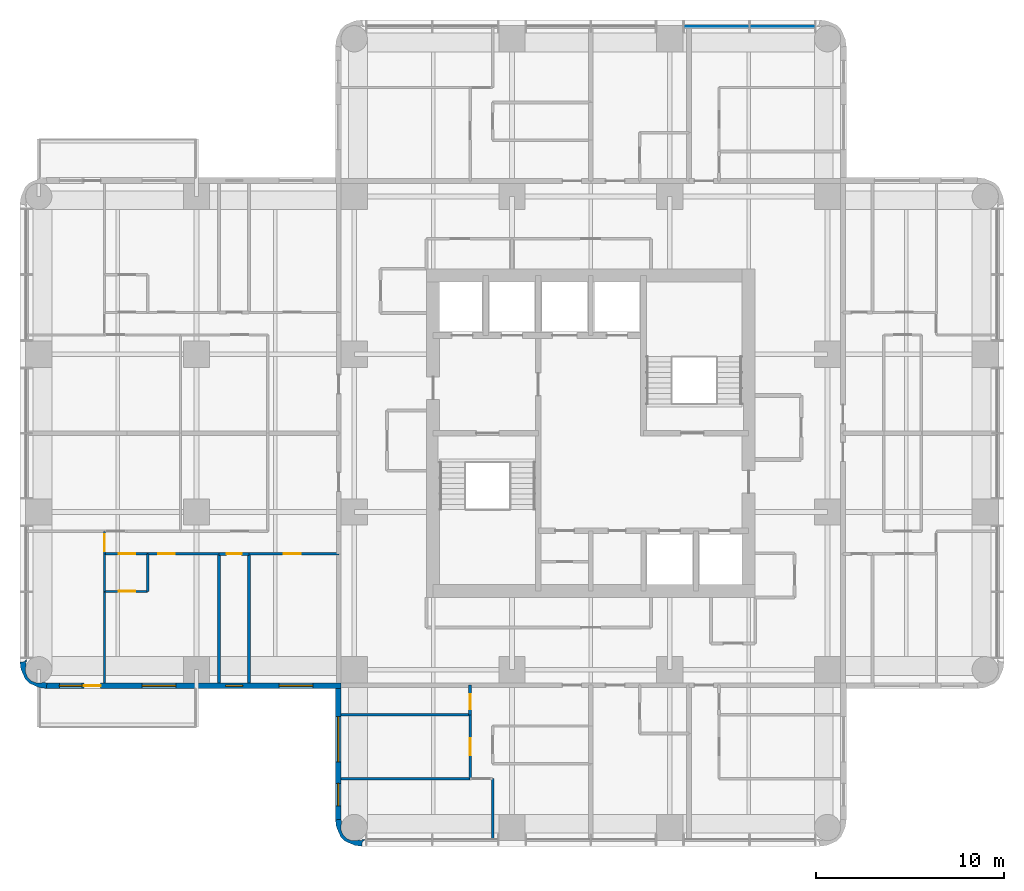
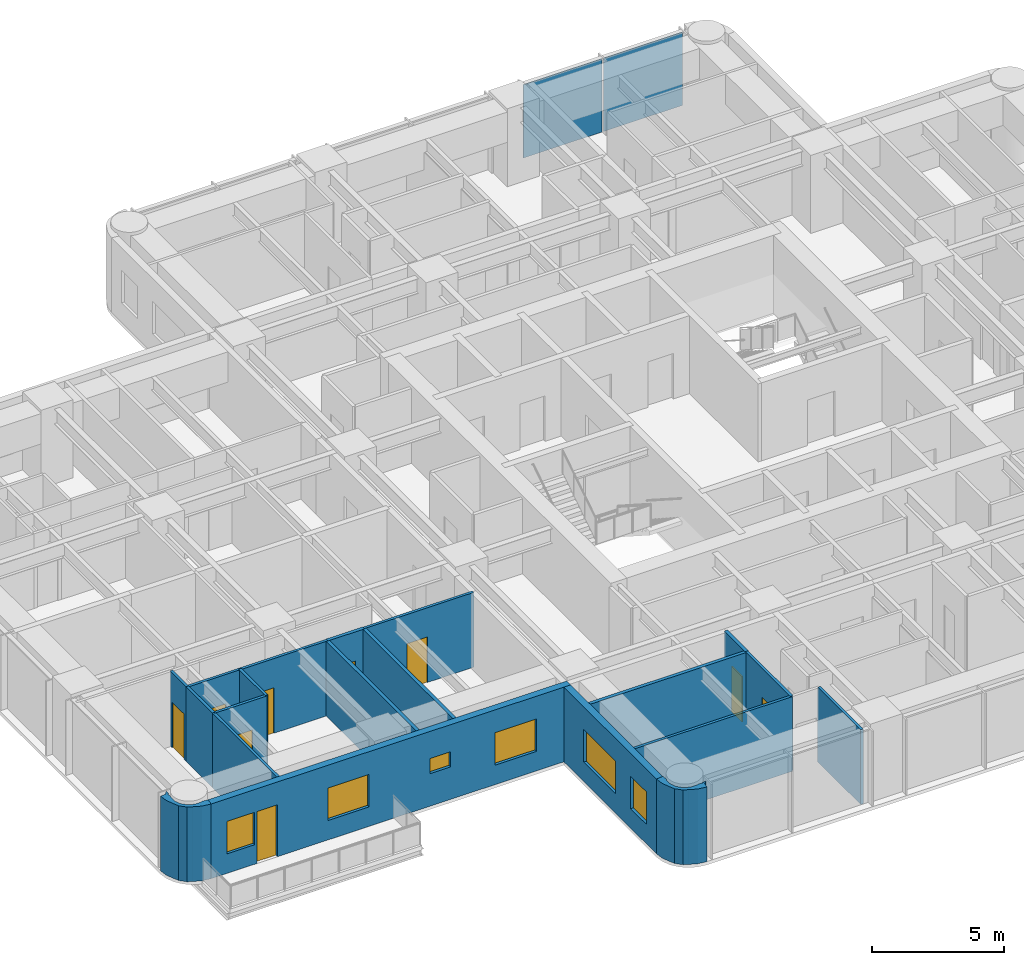
# One storey, part 4 of 11: 20 walls, 9 doors, 6 windows, 2 plates, 15 openings, 1 element without a shape of its own.
"""IFC4 building model written with IfcOpenShell, lengths in metres."""

from ifc_helpers import new_model, si_unit, direction, frame, frame_2d, origin, origin_2d, place, context, subcontext, project, spatial, polyline, rectangle, outline, extrude, material, layer, layer_set, type_object, element, fill, aggregate, save


model = new_model("IFC4")

# Units and contexts
model_context = context("Model", 3, precision=1e-05, world=origin(), true_north=direction((0.0, 1.0)))
body_context = subcontext(model_context, "Body", "Model", "MODEL_VIEW")
ifc_project = project(units=[si_unit("LENGTHUNIT", "METRE"), si_unit("AREAUNIT", "SQUARE_METRE"), si_unit("VOLUMEUNIT", "CUBIC_METRE"), si_unit("PLANEANGLEUNIT", "RADIAN"), si_unit("MASSUNIT", "GRAM", prefix="KILO")], contexts=[model_context])

# Site, building, storey
site_placement = place(None, origin())
site = spatial("IfcSite", under=ifc_project, at=site_placement, CompositionType="ELEMENT")
building_placement = place(site_placement, origin())
building = spatial("IfcBuilding", under=site, at=building_placement, Name="Torre Alcanfor", CompositionType="ELEMENT")
storey_placement = place(building_placement, frame((0.0, 0.0, 208.5)))
storey = spatial("IfcBuildingStorey", under=building, at=storey_placement, Name="L54", CompositionType="ELEMENT", Elevation=208.5)

# Curtain wall, plates
ifc_material_1 = material(Name="Aluminium and glass", Category="aluminium")
curtain_wall_type = type_object("IfcCurtainWallType", Name="CW-A unitised apartment glazing with vertical FIN", PredefinedType="NOTDEFINED", material=ifc_material_1)
curtain_wall_placement = place(storey_placement, origin())
curtain_wall = element("IfcCurtainWall", 1, at=curtain_wall_placement, inside=storey, type_object=curtain_wall_type, Name="Curtain wall CW-A L54 11", PredefinedType="NOTDEFINED")
ifc_material_2 = material(Name="Glass", Category="glass")
ifc_layer_1 = layer(ifc_material_2, 0.028076171875)
ifc_layer_set_1 = layer_set([ifc_layer_1], Name="CW-A clear double glazed unit")
plate_type = type_object("IfcPlateType", Name="CW-A clear double glazed unit", PredefinedType="CURTAIN_PANEL", material=ifc_layer_set_1)
plate_1_placement = place(storey_placement, frame((39.60107421875, 51.050048828125, 0.0), z_axis=(0.0, 0.0, 1.0), x_axis=(-1.0, 0.0, 0.0)))
plate_1 = element("IfcPlate", 2, at=plate_1_placement, type_object=plate_type, Name="CW-A panel 1.1.1", PredefinedType="CURTAIN_PANEL", context=body_context, shape_type="SweptSolid", body=[
    extrude(rectangle(XDim=3.444091796875, YDim=0.028076171875, at=origin_2d()), origin(), (0.0, 0.0, 1.0), 3.385009765625),
])
plate_2_placement = place(storey_placement, frame((36.092041015625, 51.050048828125, 0.0), z_axis=(0.0, 0.0, 1.0), x_axis=(-1.0, 0.0, 0.0)))
plate_2 = element("IfcPlate", 3, at=plate_2_placement, type_object=plate_type, Name="CW-A panel 1.2.1", PredefinedType="CURTAIN_PANEL", context=body_context, shape_type="SweptSolid", body=[
    extrude(rectangle(XDim=3.444091796875, YDim=0.028076171875, at=origin_2d()), origin(), (0.0, 0.0, 1.0), 3.385009765625),
])
aggregate(curtain_wall, [plate_1, plate_2])

# Wall, opening, door
ifc_material_3 = material(Name="Gypsum board on steel studs", Category="steel")
ifc_layer_2 = layer(ifc_material_3, 0.1201171875)
ifc_layer_set_2 = layer_set([ifc_layer_2], Name="Apartment partition 120")
wall_type_1 = type_object("IfcWallType", Name="Apartment partition 120", PredefinedType="PARTITIONING", material=ifc_layer_set_2)
wall_1_placement = place(storey_placement, frame((22.970947265625, 11.0, 0.0), z_axis=(0.0, 0.0, 1.0), x_axis=(0.0, 1.0, 0.0)))
wall_1 = element("IfcWall", 4, at=wall_1_placement, inside=storey, type_object=wall_type_1, Name="Partition L54-S2-LIVING / L54-S2-STUDY", PredefinedType="PARTITIONING", context=body_context, shape_type="SweptSolid", body=[
    extrude(rectangle(XDim=3.39990234375, YDim=0.1201171875, at=frame_2d((1.699951171875, 0.0))), origin(), (0.0, 0.0, 1.0), 3.449951171875),
])
opening_1_placement = place(wall_1_placement, frame((1.25, 0.0, 0.0)))
opening_1 = element("IfcOpeningElement", 5, at=opening_1_placement, cuts=wall_1, Name="Opening D-R1", PredefinedType="OPENING", context=body_context, shape_type="SweptSolid", body=[
    extrude(rectangle(XDim=0.89990234375, YDim=2.10009765625, at=frame_2d((0.449951171875, 1.050048828125))), frame((0.0, 0.070068359375, 0.0), z_axis=(0.0, -1.0, 0.0), x_axis=(1.0, 0.0, 0.0)), (0.0, 0.0, 1.0), 0.14013671875),
])
ifc_material_4 = material(Name="Timber", Category="wood")
door_type_1 = type_object("IfcDoorType", Name="Internal door 900x2100", OperationType="SINGLE_SWING_LEFT", PredefinedType="DOOR", material=ifc_material_4)
door_1_placement = place(opening_1_placement, origin())
door_1 = element("IfcDoor", 6, at=door_1_placement, inside=storey, type_object=door_type_1, Name="Door L54-S2 study", OperationType="SINGLE_SWING_LEFT", OverallHeight=2.10009765625, OverallWidth=0.89990234375, PredefinedType="DOOR", context=body_context, shape_type="SweptSolid", body=[
    extrude(rectangle(XDim=0.89990234375, YDim=2.10009765625, at=frame_2d((0.449951171875, 1.050048828125))), frame((0.0, 0.02490234375, 0.0), z_axis=(0.0, -1.0, 0.0), x_axis=(1.0, 0.0, 0.0)), (0.0, 0.0, 1.0), 0.050048828125),
])
fill(opening_1, door_1)

# Walls
wall_2_placement = place(storey_placement, frame((24.1708984375, 7.75, 0.0), z_axis=(0.0, 0.0, 1.0), x_axis=(0.0, 1.0, 0.0)))
element("IfcWall", 7, at=wall_2_placement, inside=storey, type_object=wall_type_1, Name="Partition L54-S2-LIVING / L54-S2-MASTER", PredefinedType="PARTITIONING", context=body_context, shape_type="SweptSolid", body=[
    extrude(rectangle(XDim=3.25, YDim=0.1201171875, at=frame_2d((1.625, 0.0))), origin(), (0.0, 0.0, 1.0), 3.449951171875),
])
wall_3_placement = place(storey_placement, frame((22.970947265625, 11.0, 0.0), z_axis=(0.0, 0.0, 1.0), x_axis=(-1.0, 0.0, 0.0)))
element("IfcWall", 8, at=wall_3_placement, inside=storey, type_object=wall_type_1, Name="Partition L54-S2-STUDY / L54-S2-MASTER", PredefinedType="PARTITIONING", context=body_context, shape_type="SweptSolid", body=[
    extrude(rectangle(XDim=6.870849609375, YDim=0.1201171875, at=frame_2d((3.435546875, 0.0))), origin(), (0.0, 0.0, 1.0), 3.449951171875),
])

# Wall, opening, door
wall_4_placement = place(storey_placement, frame((11.199951171875, 22.970947265625, 0.0), z_axis=(0.0, 0.0, 1.0), x_axis=(1.0, 0.0, 0.0)))
wall_4 = element("IfcWall", 9, at=wall_4_placement, inside=storey, type_object=wall_type_1, Name="Partition L54-W1-HALL / L54-W1-BED2", PredefinedType="PARTITIONING", context=body_context, shape_type="SweptSolid", body=[
    extrude(rectangle(XDim=4.775146484375, YDim=0.1201171875, at=frame_2d((2.3876953125, 0.0))), origin(), (0.0, 0.0, 1.0), 3.449951171875),
])
opening_2_placement = place(wall_4_placement, frame((1.85009765625, 0.0, 0.0)))
opening_2 = element("IfcOpeningElement", 10, at=opening_2_placement, cuts=wall_4, Name="Opening D-R1", PredefinedType="OPENING", context=body_context, shape_type="SweptSolid", body=[
    extrude(rectangle(XDim=0.89990234375, YDim=2.10009765625, at=frame_2d((0.449951171875, 1.050048828125))), frame((0.0, 0.070068359375, 0.0), z_axis=(0.0, -1.0, 0.0), x_axis=(1.0, 0.0, 0.0)), (0.0, 0.0, 1.0), 0.14013671875),
])
door_2_placement = place(opening_2_placement, frame((0.89990234375, 0.0, 0.0), z_axis=(0.0, 0.0, 1.0), x_axis=(-1.0, 0.0, 0.0)))
door_2 = element("IfcDoor", 11, at=door_2_placement, inside=storey, type_object=door_type_1, Name="Door L54-W1 bed2", OperationType="SINGLE_SWING_RIGHT", OverallHeight=2.10009765625, OverallWidth=0.89990234375, PredefinedType="DOOR", context=body_context, shape_type="SweptSolid", body=[
    extrude(rectangle(XDim=0.89990234375, YDim=2.10009765625, at=frame_2d((0.449951171875, 1.050048828125))), frame((0.0, 0.025146484375, 0.0), z_axis=(0.0, -1.0, 0.0), x_axis=(1.0, 0.0, 0.0)), (0.0, 0.0, 1.0), 0.050048828125),
])
fill(opening_2, door_2)

wall_5_placement = place(storey_placement, frame((5.800048828125, 22.970947265625, 0.0), z_axis=(0.0, 0.0, 1.0), x_axis=(1.0, 0.0, 0.0)))
wall_5 = element("IfcWall", 12, at=wall_5_placement, inside=storey, type_object=wall_type_1, Name="Partition L54-W1-HALL / L54-W1-MASTER", PredefinedType="PARTITIONING", context=body_context, shape_type="SweptSolid", body=[
    extrude(rectangle(XDim=3.800048828125, YDim=0.1201171875, at=frame_2d((1.89990234375, 0.0))), origin(), (0.0, 0.0, 1.0), 3.449951171875),
])
opening_3_placement = place(wall_5_placement, frame((0.550048828125, 0.0, 0.0)))
opening_3 = element("IfcOpeningElement", 13, at=opening_3_placement, cuts=wall_5, Name="Opening D-R1", PredefinedType="OPENING", context=body_context, shape_type="SweptSolid", body=[
    extrude(rectangle(XDim=0.89990234375, YDim=2.10009765625, at=frame_2d((0.449951171875, 1.050048828125))), frame((0.0, 0.070068359375, 0.0), z_axis=(0.0, -1.0, 0.0), x_axis=(1.0, 0.0, 0.0)), (0.0, 0.0, 1.0), 0.14013671875),
])
door_3_placement = place(opening_3_placement, frame((0.89990234375, 0.0, 0.0), z_axis=(0.0, 0.0, 1.0), x_axis=(-1.0, 0.0, 0.0)))
door_3 = element("IfcDoor", 14, at=door_3_placement, inside=storey, type_object=door_type_1, Name="Door L54-W1 master", OperationType="SINGLE_SWING_RIGHT", OverallHeight=2.10009765625, OverallWidth=0.89990234375, PredefinedType="DOOR", context=body_context, shape_type="SweptSolid", body=[
    extrude(rectangle(XDim=0.89990234375, YDim=2.10009765625, at=frame_2d((0.449951171875, 1.050048828125))), frame((0.0, 0.025146484375, 0.0), z_axis=(0.0, -1.0, 0.0), x_axis=(1.0, 0.0, 0.0)), (0.0, 0.0, 1.0), 0.050048828125),
])
fill(opening_3, door_3)

wall_6_placement = place(storey_placement, frame((3.5, 22.970947265625, 0.0), z_axis=(0.0, 0.0, 1.0), x_axis=(1.0, 0.0, 0.0)))
wall_6 = element("IfcWall", 15, at=wall_6_placement, inside=storey, type_object=wall_type_1, Name="Partition L54-W1-HALL / L54-W1-VEST", PredefinedType="PARTITIONING", context=body_context, shape_type="SweptSolid", body=[
    extrude(rectangle(XDim=2.300048828125, YDim=0.1201171875, at=frame_2d((1.14990234375, 0.0))), origin(), (0.0, 0.0, 1.0), 3.449951171875),
])
opening_4_placement = place(wall_6_placement, frame((0.75, 0.0, 0.0)))
opening_4 = element("IfcOpeningElement", 16, at=opening_4_placement, cuts=wall_6, Name="Opening D-R1", PredefinedType="OPENING", context=body_context, shape_type="SweptSolid", body=[
    extrude(rectangle(XDim=0.89990234375, YDim=2.10009765625, at=frame_2d((0.449951171875, 1.050048828125))), frame((0.0, 0.070068359375, 0.0), z_axis=(0.0, -1.0, 0.0), x_axis=(1.0, 0.0, 0.0)), (0.0, 0.0, 1.0), 0.14013671875),
])
door_4_placement = place(opening_4_placement, frame((0.89990234375, 0.0, 0.0), z_axis=(0.0, 0.0, 1.0), x_axis=(-1.0, 0.0, 0.0)))
door_4 = element("IfcDoor", 17, at=door_4_placement, inside=storey, type_object=door_type_1, Name="Door L54-W1 vest", OperationType="SINGLE_SWING_LEFT", OverallHeight=2.10009765625, OverallWidth=0.89990234375, PredefinedType="DOOR", context=body_context, shape_type="SweptSolid", body=[
    extrude(rectangle(XDim=0.89990234375, YDim=2.10009765625, at=frame_2d((0.449951171875, 1.050048828125))), frame((0.0, 0.025146484375, 0.0), z_axis=(0.0, -1.0, 0.0), x_axis=(1.0, 0.0, 0.0)), (0.0, 0.0, 1.0), 0.050048828125),
])
fill(opening_4, door_4)

wall_7_placement = place(storey_placement, frame((3.5, 24.1708984375, 0.0), z_axis=(0.0, 0.0, 1.0), x_axis=(0.0, -1.0, 0.0)))
wall_7 = element("IfcWall", 18, at=wall_7_placement, inside=storey, type_object=wall_type_1, Name="Partition L54-W1-HALL / L54-W1-WGARD", PredefinedType="PARTITIONING", context=body_context, shape_type="SweptSolid", body=[
    extrude(rectangle(XDim=1.199951171875, YDim=0.1201171875, at=frame_2d((0.60009765625, 0.0))), origin(), (0.0, 0.0, 1.0), 3.449951171875),
])
opening_5_placement = place(wall_7_placement, frame((0.15087890625, 0.0, 0.0)))
opening_5 = element("IfcOpeningElement", 19, at=opening_5_placement, cuts=wall_7, Name="Opening D-R1", PredefinedType="OPENING", context=body_context, shape_type="SweptSolid", body=[
    extrude(rectangle(XDim=0.89990234375, YDim=2.10009765625, at=frame_2d((0.449951171875, 1.050048828125))), frame((0.0, 0.070068359375, 0.0), z_axis=(0.0, -1.0, 0.0), x_axis=(1.0, 0.0, 0.0)), (0.0, 0.0, 1.0), 0.14013671875),
])
door_5_placement = place(opening_5_placement, frame((0.89990234375, 0.0, 0.0), z_axis=(0.0, 0.0, 1.0), x_axis=(-1.0, 0.0, 0.0)))
door_5 = element("IfcDoor", 20, at=door_5_placement, inside=storey, type_object=door_type_1, Name="Door L54-W1 wgard", OperationType="SINGLE_SWING_RIGHT", OverallHeight=2.10009765625, OverallWidth=0.89990234375, PredefinedType="DOOR", context=body_context, shape_type="SweptSolid", body=[
    extrude(rectangle(XDim=0.89990234375, YDim=2.10009765625, at=frame_2d((0.449951171875, 1.050048828125))), frame((0.0, 0.025146484375, 0.0), z_axis=(0.0, -1.0, 0.0), x_axis=(1.0, 0.0, 0.0)), (0.0, 0.0, 1.0), 0.050048828125),
])
fill(opening_5, door_5)

wall_8_placement = place(storey_placement, frame((3.5, 20.970947265625, 0.0), z_axis=(0.0, 0.0, 1.0), x_axis=(1.0, 0.0, 0.0)))
wall_8 = element("IfcWall", 21, at=wall_8_placement, inside=storey, type_object=wall_type_1, Name="Partition L54-W1-MASTER / L54-W1-VEST", PredefinedType="PARTITIONING", context=body_context, shape_type="SweptSolid", body=[
    extrude(rectangle(XDim=2.300048828125, YDim=0.1201171875, at=frame_2d((1.14990234375, 0.0))), origin(), (0.0, 0.0, 1.0), 3.449951171875),
])
opening_6_placement = place(wall_8_placement, frame((0.75, 0.0, 0.0)))
opening_6 = element("IfcOpeningElement", 22, at=opening_6_placement, cuts=wall_8, Name="Opening D-R1", PredefinedType="OPENING", context=body_context, shape_type="SweptSolid", body=[
    extrude(rectangle(XDim=0.89990234375, YDim=2.10009765625, at=frame_2d((0.449951171875, 1.050048828125))), frame((0.0, 0.070068359375, 0.0), z_axis=(0.0, -1.0, 0.0), x_axis=(1.0, 0.0, 0.0)), (0.0, 0.0, 1.0), 0.14013671875),
])
door_6_placement = place(opening_6_placement, origin())
door_6 = element("IfcDoor", 23, at=door_6_placement, inside=storey, type_object=door_type_1, Name="Door L54-W1 master", OperationType="SINGLE_SWING_RIGHT", OverallHeight=2.10009765625, OverallWidth=0.89990234375, PredefinedType="DOOR", context=body_context, shape_type="SweptSolid", body=[
    extrude(rectangle(XDim=0.89990234375, YDim=2.10009765625, at=frame_2d((0.449951171875, 1.050048828125))), frame((0.0, 0.02490234375, 0.0), z_axis=(0.0, -1.0, 0.0), x_axis=(1.0, 0.0, 0.0)), (0.0, 0.0, 1.0), 0.050048828125),
])
fill(opening_6, door_6)

# Walls
wall_9_placement = place(storey_placement, frame((5.800048828125, 20.970947265625, 0.0), z_axis=(0.0, 0.0, 1.0), x_axis=(0.0, 1.0, 0.0)))
element("IfcWall", 24, at=wall_9_placement, inside=storey, type_object=wall_type_1, Name="Partition L54-W1-MASTER / L54-W1-VEST", PredefinedType="PARTITIONING", context=body_context, shape_type="SweptSolid", body=[
    extrude(rectangle(XDim=2.0, YDim=0.1201171875, at=frame_2d((1.0, 0.0))), origin(), (0.0, 0.0, 1.0), 3.449951171875),
])
wall_10_placement = place(storey_placement, frame((3.5, 16.10009765625, 0.0), z_axis=(0.0, 0.0, 1.0), x_axis=(0.0, 1.0, 0.0)))
element("IfcWall", 25, at=wall_10_placement, inside=storey, type_object=wall_type_1, Name="Partition L54-W1-MASTER / L54-W1-WGARD", PredefinedType="PARTITIONING", context=body_context, shape_type="SweptSolid", body=[
    extrude(rectangle(XDim=4.870849609375, YDim=0.1201171875, at=frame_2d((2.435546875, 0.0))), origin(), (0.0, 0.0, 1.0), 3.449951171875),
])
wall_11_placement = place(storey_placement, frame((3.5, 22.970947265625, 0.0), z_axis=(0.0, 0.0, 1.0), x_axis=(0.0, -1.0, 0.0)))
element("IfcWall", 26, at=wall_11_placement, inside=storey, type_object=wall_type_1, Name="Partition L54-W1-VEST / L54-W1-WGARD", PredefinedType="PARTITIONING", context=body_context, shape_type="SweptSolid", body=[
    extrude(rectangle(XDim=2.0, YDim=0.1201171875, at=frame_2d((1.0, 0.0))), origin(), (0.0, 0.0, 1.0), 3.449951171875),
])

# Wall, openings, door, windows
ifc_material_5 = material(Name="Limestone cladding", Category="masonry")
ifc_layer_3 = layer(ifc_material_5, 0.0400390625, Name="Facing")
ifc_material_6 = material(Name="Ventilated air cavity")
ifc_layer_4 = layer(ifc_material_6, 0.02001953125, ventilated=True, Name="Ventilated joint")
ifc_material_7 = material(Name="Mineral wool insulation", Category="insulation")
ifc_layer_5 = layer(ifc_material_7, 0.10009765625, Name="Insulation")
ifc_material_8 = material(Name="Concrete f'c 35 MPa", Category="concrete")
ifc_layer_6 = layer(ifc_material_8, 0.139892578125, Name="Backing")
ifc_layer_set_3 = layer_set([ifc_layer_3, ifc_layer_4, ifc_layer_5, ifc_layer_6], Name="External wall stone-clad 300")
wall_type_2 = type_object("IfcWallType", Name="External wall stone-clad 300", PredefinedType="SOLIDWALL", material=ifc_layer_set_3)
wall_12_placement = place(storey_placement, frame((0.39990234375, 15.949951171875, 0.0), z_axis=(0.0, 0.0, 1.0), x_axis=(1.0, 0.0, 0.0)))
wall_12 = element("IfcWall", 27, at=wall_12_placement, inside=storey, type_object=wall_type_2, Name="External wall L54 3", PredefinedType="SOLIDWALL", context=body_context, shape_type="SweptSolid", body=[
    extrude(rectangle(XDim=15.7001953125, YDim=0.300048828125, at=frame_2d((7.85009765625, 0.0))), origin(), (0.0, 0.0, 1.0), 3.449951171875),
])
opening_7_placement = place(wall_12_placement, frame((12.39990234375, 0.0, 0.89990234375)))
opening_7 = element("IfcOpeningElement", 28, at=opening_7_placement, cuts=wall_12, Name="Opening W2", PredefinedType="OPENING", context=body_context, shape_type="SweptSolid", body=[
    extrude(rectangle(XDim=1.800048828125, YDim=1.5, at=frame_2d((0.89990234375, 0.75))), frame((0.0, 0.159912109375, 0.0), z_axis=(0.0, -1.0, 0.0), x_axis=(1.0, 0.0, 0.0)), (0.0, 0.0, 1.0), 0.320068359375),
])
opening_8_placement = place(wall_12_placement, frame((9.550048828125, 0.0, 1.5)))
opening_8 = element("IfcOpeningElement", 29, at=opening_8_placement, cuts=wall_12, Name="Opening W3", PredefinedType="OPENING", context=body_context, shape_type="SweptSolid", body=[
    extrude(rectangle(XDim=0.89990234375, YDim=0.699951171875, at=frame_2d((0.449951171875, 0.35009765625))), frame((0.0, 0.159912109375, 0.0), z_axis=(0.0, -1.0, 0.0), x_axis=(1.0, 0.0, 0.0)), (0.0, 0.0, 1.0), 0.320068359375),
])
opening_9_placement = place(wall_12_placement, frame((5.10009765625, 0.0, 0.89990234375)))
opening_9 = element("IfcOpeningElement", 30, at=opening_9_placement, cuts=wall_12, Name="Opening W2", PredefinedType="OPENING", context=body_context, shape_type="SweptSolid", body=[
    extrude(rectangle(XDim=1.800048828125, YDim=1.5, at=frame_2d((0.89990234375, 0.75))), frame((0.0, 0.159912109375, 0.0), z_axis=(0.0, -1.0, 0.0), x_axis=(1.0, 0.0, 0.0)), (0.0, 0.0, 1.0), 0.320068359375),
])
opening_10_placement = place(wall_12_placement, frame((2.0, 0.0, 0.0)))
opening_10 = element("IfcOpeningElement", 31, at=opening_10_placement, cuts=wall_12, Name="Opening D-B1", PredefinedType="OPENING", context=body_context, shape_type="SweptSolid", body=[
    extrude(rectangle(XDim=0.89990234375, YDim=2.39990234375, at=frame_2d((0.449951171875, 1.199951171875))), frame((0.0, 0.159912109375, 0.0), z_axis=(0.0, -1.0, 0.0), x_axis=(1.0, 0.0, 0.0)), (0.0, 0.0, 1.0), 0.320068359375),
])
opening_11_placement = place(wall_12_placement, frame((0.699951171875, 0.0, 0.89990234375)))
opening_11 = element("IfcOpeningElement", 32, at=opening_11_placement, cuts=wall_12, Name="Opening W4", PredefinedType="OPENING", context=body_context, shape_type="SweptSolid", body=[
    extrude(rectangle(XDim=1.199951171875, YDim=1.5, at=frame_2d((0.60009765625, 0.75))), frame((0.0, 0.159912109375, 0.0), z_axis=(0.0, -1.0, 0.0), x_axis=(1.0, 0.0, 0.0)), (0.0, 0.0, 1.0), 0.320068359375),
])
ifc_material_9 = material(Name="Aluminium and glass", Category="aluminium")
door_type_2 = type_object("IfcDoorType", Name="Balcony door glazed 900x2400", OperationType="SINGLE_SWING_LEFT", PredefinedType="DOOR", material=ifc_material_9)
door_7_placement = place(opening_10_placement, origin())
door_7 = element("IfcDoor", 33, at=door_7_placement, inside=storey, type_object=door_type_2, Name="Balcony door L54-W1", OperationType="SINGLE_SWING_RIGHT", OverallHeight=2.39990234375, OverallWidth=0.89990234375, PredefinedType="DOOR", context=body_context, shape_type="SweptSolid", body=[
    extrude(rectangle(XDim=0.89990234375, YDim=2.39990234375, at=frame_2d((0.449951171875, 1.199951171875))), frame((0.0, 0.02490234375, 0.0), z_axis=(0.0, -1.0, 0.0), x_axis=(1.0, 0.0, 0.0)), (0.0, 0.0, 1.0), 0.050048828125),
])
fill(opening_10, door_7)
ifc_material_10 = material(Name="Aluminium frame with clear double glazing", Category="aluminium")
window_type_1 = type_object("IfcWindowType", Name="Window bathroom 900x700", PartitioningType="SINGLE_PANEL", PredefinedType="WINDOW", material=ifc_material_10)
window_1_placement = place(opening_8_placement, origin())
window_1 = element("IfcWindow", 34, at=window_1_placement, inside=storey, type_object=window_type_1, Name="Window W3 L54-W1", OverallHeight=0.699951171875, OverallWidth=0.89990234375, PartitioningType="SINGLE_PANEL", PredefinedType="WINDOW", context=body_context, shape_type="SweptSolid", body=[
    extrude(rectangle(XDim=0.89990234375, YDim=0.699951171875, at=frame_2d((0.449951171875, 0.35009765625))), frame((0.0, 0.030029296875, 0.0), z_axis=(0.0, -1.0, 0.0), x_axis=(1.0, 0.0, 0.0)), (0.0, 0.0, 1.0), 0.06005859375),
])
fill(opening_8, window_1)
ifc_material_11 = material(Name="Aluminium frame with clear double glazing", Category="aluminium")
window_type_2 = type_object("IfcWindowType", Name="Window bedroom 1200x1500", PartitioningType="SINGLE_PANEL", PredefinedType="WINDOW", material=ifc_material_11)
window_2_placement = place(opening_11_placement, origin())
window_2 = element("IfcWindow", 35, at=window_2_placement, inside=storey, type_object=window_type_2, Name="Window W4 L54-W1", OverallHeight=1.5, OverallWidth=1.199951171875, PartitioningType="SINGLE_PANEL", PredefinedType="WINDOW", context=body_context, shape_type="SweptSolid", body=[
    extrude(rectangle(XDim=1.199951171875, YDim=1.5, at=frame_2d((0.60009765625, 0.75))), frame((0.0, 0.030029296875, 0.0), z_axis=(0.0, -1.0, 0.0), x_axis=(1.0, 0.0, 0.0)), (0.0, 0.0, 1.0), 0.06005859375),
])
fill(opening_11, window_2)
ifc_material_12 = material(Name="Aluminium frame with clear double glazing", Category="aluminium")
window_type_3 = type_object("IfcWindowType", Name="Window bedroom 1800x1500", PartitioningType="SINGLE_PANEL", PredefinedType="WINDOW", material=ifc_material_12)
window_3_placement = place(opening_7_placement, origin())
window_3 = element("IfcWindow", 36, at=window_3_placement, inside=storey, type_object=window_type_3, Name="Window W2 L54-W1", OverallHeight=1.5, OverallWidth=1.800048828125, PartitioningType="SINGLE_PANEL", PredefinedType="WINDOW", context=body_context, shape_type="SweptSolid", body=[
    extrude(rectangle(XDim=1.800048828125, YDim=1.5, at=frame_2d((0.89990234375, 0.75))), frame((0.0, 0.030029296875, 0.0), z_axis=(0.0, -1.0, 0.0), x_axis=(1.0, 0.0, 0.0)), (0.0, 0.0, 1.0), 0.06005859375),
])
fill(opening_7, window_3)
window_4_placement = place(opening_9_placement, origin())
window_4 = element("IfcWindow", 37, at=window_4_placement, inside=storey, type_object=window_type_3, Name="Window W2 L54-W1", OverallHeight=1.5, OverallWidth=1.800048828125, PartitioningType="SINGLE_PANEL", PredefinedType="WINDOW", context=body_context, shape_type="SweptSolid", body=[
    extrude(rectangle(XDim=1.800048828125, YDim=1.5, at=frame_2d((0.89990234375, 0.75))), frame((0.0, 0.030029296875, 0.0), z_axis=(0.0, -1.0, 0.0), x_axis=(1.0, 0.0, 0.0)), (0.0, 0.0, 1.0), 0.06005859375),
])
fill(opening_9, window_4)

# Wall, openings, windows
wall_13_placement = place(storey_placement, frame((15.949951171875, 15.800048828125, 0.0), z_axis=(0.0, 0.0, 1.0), x_axis=(0.0, -1.0, 0.0)))
wall_13 = element("IfcWall", 38, at=wall_13_placement, inside=storey, type_object=wall_type_2, Name="External wall L54 4", PredefinedType="SOLIDWALL", context=body_context, shape_type="SweptSolid", body=[
    extrude(rectangle(XDim=7.0, YDim=0.300048828125, at=frame_2d((3.5, 0.0))), origin(), (0.0, 0.0, 1.0), 3.449951171875),
])
opening_12_placement = place(wall_13_placement, frame((1.5, 0.0, 0.89990234375)))
opening_12 = element("IfcOpeningElement", 39, at=opening_12_placement, cuts=wall_13, Name="Opening W1", PredefinedType="OPENING", context=body_context, shape_type="SweptSolid", body=[
    extrude(rectangle(XDim=2.39990234375, YDim=1.5, at=frame_2d((1.199951171875, 0.75))), frame((0.0, 0.159912109375, 0.0), z_axis=(0.0, -1.0, 0.0), x_axis=(1.0, 0.0, 0.0)), (0.0, 0.0, 1.0), 0.320068359375),
])
opening_13_placement = place(wall_13_placement, frame((5.050048828125, 0.0, 0.89990234375)))
opening_13 = element("IfcOpeningElement", 40, at=opening_13_placement, cuts=wall_13, Name="Opening W4", PredefinedType="OPENING", context=body_context, shape_type="SweptSolid", body=[
    extrude(rectangle(XDim=1.199951171875, YDim=1.5, at=frame_2d((0.60009765625, 0.75))), frame((0.0, 0.159912109375, 0.0), z_axis=(0.0, -1.0, 0.0), x_axis=(1.0, 0.0, 0.0)), (0.0, 0.0, 1.0), 0.320068359375),
])
window_5_placement = place(opening_13_placement, origin())
window_5 = element("IfcWindow", 41, at=window_5_placement, inside=storey, type_object=window_type_2, Name="Window W4 L54-S2", OverallHeight=1.5, OverallWidth=1.199951171875, PartitioningType="SINGLE_PANEL", PredefinedType="WINDOW", context=body_context, shape_type="SweptSolid", body=[
    extrude(rectangle(XDim=1.199951171875, YDim=1.5, at=frame_2d((0.60009765625, 0.75))), frame((0.0, 0.030029296875, 0.0), z_axis=(0.0, -1.0, 0.0), x_axis=(1.0, 0.0, 0.0)), (0.0, 0.0, 1.0), 0.06005859375),
])
fill(opening_13, window_5)
ifc_material_13 = material(Name="Aluminium frame with clear double glazing", Category="aluminium")
window_type_4 = type_object("IfcWindowType", Name="Window bedroom 2400x1500", PartitioningType="SINGLE_PANEL", PredefinedType="WINDOW", material=ifc_material_13)
window_6_placement = place(opening_12_placement, origin())
window_6 = element("IfcWindow", 42, at=window_6_placement, inside=storey, type_object=window_type_4, Name="Window W1 L54-S2", OverallHeight=1.5, OverallWidth=2.39990234375, PartitioningType="SINGLE_PANEL", PredefinedType="WINDOW", context=body_context, shape_type="SweptSolid", body=[
    extrude(rectangle(XDim=2.39990234375, YDim=1.5, at=frame_2d((1.199951171875, 0.75))), frame((0.0, 0.030029296875, 0.0), z_axis=(0.0, -1.0, 0.0), x_axis=(1.0, 0.0, 0.0)), (0.0, 0.0, 1.0), 0.06005859375),
])
fill(opening_12, window_6)

# Walls
ifc_layer_7 = layer(ifc_material_5, 0.0400390625, Name="Facing")
ifc_layer_8 = layer(ifc_material_6, 0.02001953125, ventilated=True, Name="Ventilated joint")
ifc_layer_9 = layer(ifc_material_7, 0.10009765625, Name="Insulation")
ifc_layer_10 = layer(ifc_material_8, 0.139892578125, Name="Backing")
ifc_layer_set_4 = layer_set([ifc_layer_7, ifc_layer_8, ifc_layer_9, ifc_layer_10], Name="Rounded corner pier stone-clad 300")
wall_type_3 = type_object("IfcWallType", Name="Rounded corner pier stone-clad 300", PredefinedType="SOLIDWALL", material=ifc_layer_set_4)
wall_14_placement = place(storey_placement, frame((-0.58815184, 17.312325495, 0.0), z_axis=(0.0, 0.0, 1.0), x_axis=(-0.898030234854, -0.439933741929, 0.0)))
element("IfcWall", 43, at=wall_14_placement, inside=storey, type_object=wall_type_3, Name="Corner pier L54 14", PredefinedType="SOLIDWALL", context=body_context, shape_type="SweptSolid", body=[
    extrude(outline(polyline([(-0.22200099779214466, 1.7927485446039917), (-0.3895203988851006, 1.5406953482066268), (-0.3717615001977944, 1.5319954866108696), (-0.1946893371505769, 1.4145296087243977), (-0.1196378565013686, 1.4095707271395082), (0.13074069042336733, 1.2869134192092004), (0.31532782000916126, 1.0776826467218847), (0.4055826710323692, 0.8140749979758074), (0.38797260783771476, 0.5356152877148042), (0.26531529990740693, 0.28523674079006817), (0.2089410932617622, 0.23564484500123395), (0.1476439801012907, 0.052805298357783616), (0.1048910758540722, 0.07374940960682917), (0.03174779503048235, -0.07555688676422617), (0.13758283616273645, -0.03932073839803114), (0.18192415361672865, -0.0004176855725517292), (0.4192893563182328, -0.08027036234769044), (0.5359265089611867, 0.2660343125058281), (0.55884082549336, 0.63079452952945), (0.5546362328412097, 0.6510690852705474), (0.5662389797265355, 0.8356887018617073), (0.45562482097298596, 1.1592927954286232), (0.3331931039366845, 1.297838781078767), (0.32408874086174466, 1.3164357373584665), (0.08241545456328281, 1.5906055834666009), (-0.22200099779214466, 1.7927485446039917)])), origin(), (0.0, 0.0, 1.0), 3.449951171875),
])
wall_15_placement = place(storey_placement, frame((16.075788181, 8.689684728, 0.0), z_axis=(0.0, 0.0, 1.0), x_axis=(-0.439933741929, -0.898030234854, 0.0)))
element("IfcWall", 44, at=wall_15_placement, inside=storey, type_object=wall_type_3, Name="Corner pier L54 15", PredefinedType="SOLIDWALL", context=body_context, shape_type="SweptSolid", body=[
    extrude(outline(polyline([(0.6637063463257242, 1.5769511452868783), (0.42612189796141386, 1.4969910628130267), (0.381999826170228, 1.536001521337219), (0.2761647850379738, 1.5722376697034142), (0.3493080658615637, 1.4229313733323588), (0.391841724445976, 1.4437680788826912), (0.45335808326925375, 1.261035937937954), (0.5097322899148984, 1.2114440421491197), (0.6323895978452062, 0.9610654952243838), (0.6499996610398608, 0.6826057849633805), (0.5595255643538466, 0.4188907305185901), (0.37515768043085884, 0.20976736372998736), (0.1247791335061229, 0.08711005579967954), (0.04972765285691469, 0.0821511742147902), (-0.1273445101903028, -0.035314703671681595), (-0.14532265454041515, -0.04412197096615204), (0.02219674655254064, -0.2961751673635169), (0.3266131989079681, -0.09403220622612604), (0.56828648520643, 0.18013763988200826), (0.5776100939441761, 0.19884200186042086), (0.6998225653176713, 0.33728058181185155), (0.810655969734027, 0.6609920810774806), (0.7990532228487013, 0.8456116976686404), (0.8030385698380452, 0.8657788477110249), (0.7801242533058719, 1.2305390647346468), (0.6637063463257242, 1.5769511452868783)])), origin(), (0.0, 0.0, 1.0), 3.449951171875),
])

# Wall, opening, door
ifc_material_14 = material(Name="Cement board on steel studs", Category="steel")
ifc_layer_11 = layer(ifc_material_14, 0.14990234375)
ifc_layer_set_5 = layer_set([ifc_layer_11], Name="Wet area partition 150")
wall_type_4 = type_object("IfcWallType", Name="Wet area partition 150", PredefinedType="PARTITIONING", material=ifc_layer_set_5)
wall_16_placement = place(storey_placement, frame((22.970947265625, 14.39990234375, 0.0), z_axis=(0.0, 0.0, 1.0), x_axis=(0.0, 1.0, 0.0)))
wall_16 = element("IfcWall", 45, at=wall_16_placement, inside=storey, type_object=wall_type_4, Name="Partition L54-S2-LIVING / L54-S2-BATH", PredefinedType="PARTITIONING", context=body_context, shape_type="SweptSolid", body=[
    extrude(rectangle(XDim=1.5751953125, YDim=0.14990234375, at=frame_2d((0.78759765625, 0.0))), origin(), (0.0, 0.0, 1.0), 3.449951171875),
])
opening_14_placement = place(wall_16_placement, frame((0.300048828125, 0.0, 0.0)))
opening_14 = element("IfcOpeningElement", 46, at=opening_14_placement, cuts=wall_16, Name="Opening D-R2", PredefinedType="OPENING", context=body_context, shape_type="SweptSolid", body=[
    extrude(rectangle(XDim=0.800048828125, YDim=2.10009765625, at=frame_2d((0.39990234375, 1.050048828125))), frame((0.0, 0.0849609375, 0.0), z_axis=(0.0, -1.0, 0.0), x_axis=(1.0, 0.0, 0.0)), (0.0, 0.0, 1.0), 0.169921875),
])
ifc_material_15 = material(Name="Timber", Category="wood")
door_type_3 = type_object("IfcDoorType", Name="Bathroom door 800x2100", OperationType="SINGLE_SWING_LEFT", PredefinedType="DOOR", material=ifc_material_15)
door_8_placement = place(opening_14_placement, origin())
door_8 = element("IfcDoor", 47, at=door_8_placement, inside=storey, type_object=door_type_3, Name="Door L54-S2 bath", OperationType="SINGLE_SWING_LEFT", OverallHeight=2.10009765625, OverallWidth=0.800048828125, PredefinedType="DOOR", context=body_context, shape_type="SweptSolid", body=[
    extrude(rectangle(XDim=0.800048828125, YDim=2.10009765625, at=frame_2d((0.39990234375, 1.050048828125))), frame((0.0, 0.02490234375, 0.0), z_axis=(0.0, -1.0, 0.0), x_axis=(1.0, 0.0, 0.0)), (0.0, 0.0, 1.0), 0.050048828125),
])
fill(opening_14, door_8)

# Wall
wall_17_placement = place(storey_placement, frame((22.970947265625, 14.39990234375, 0.0), z_axis=(0.0, 0.0, 1.0), x_axis=(-1.0, 0.0, 0.0)))
element("IfcWall", 48, at=wall_17_placement, inside=storey, type_object=wall_type_4, Name="Partition L54-S2-BATH / L54-S2-STUDY", PredefinedType="PARTITIONING", context=body_context, shape_type="SweptSolid", body=[
    extrude(rectangle(XDim=6.870849609375, YDim=0.14990234375, at=frame_2d((3.435546875, 0.0))), origin(), (0.0, 0.0, 1.0), 3.449951171875),
])

# Wall, opening, door
wall_18_placement = place(storey_placement, frame((9.60009765625, 22.970947265625, 0.0), z_axis=(0.0, 0.0, 1.0), x_axis=(1.0, 0.0, 0.0)))
wall_18 = element("IfcWall", 49, at=wall_18_placement, inside=storey, type_object=wall_type_4, Name="Partition L54-W1-HALL / L54-W1-BATH1", PredefinedType="PARTITIONING", context=body_context, shape_type="SweptSolid", body=[
    extrude(rectangle(XDim=1.599853515625, YDim=0.14990234375, at=frame_2d((0.7998046875, 0.0))), origin(), (0.0, 0.0, 1.0), 3.449951171875),
])
opening_15_placement = place(wall_18_placement, frame((0.39990234375, 0.0, 0.0)))
opening_15 = element("IfcOpeningElement", 50, at=opening_15_placement, cuts=wall_18, Name="Opening D-R2", PredefinedType="OPENING", context=body_context, shape_type="SweptSolid", body=[
    extrude(rectangle(XDim=0.800048828125, YDim=2.10009765625, at=frame_2d((0.39990234375, 1.050048828125))), frame((0.0, 0.0849609375, 0.0), z_axis=(0.0, -1.0, 0.0), x_axis=(1.0, 0.0, 0.0)), (0.0, 0.0, 1.0), 0.169921875),
])
door_9_placement = place(opening_15_placement, frame((0.800048828125, 0.0, 0.0), z_axis=(0.0, 0.0, 1.0), x_axis=(-1.0, 0.0, 0.0)))
door_9 = element("IfcDoor", 51, at=door_9_placement, inside=storey, type_object=door_type_3, Name="Door L54-W1 bath1", OperationType="SINGLE_SWING_RIGHT", OverallHeight=2.10009765625, OverallWidth=0.800048828125, PredefinedType="DOOR", context=body_context, shape_type="SweptSolid", body=[
    extrude(rectangle(XDim=0.800048828125, YDim=2.10009765625, at=frame_2d((0.400146484375, 1.050048828125))), frame((0.0, 0.025146484375, 0.0), z_axis=(0.0, -1.0, 0.0), x_axis=(1.0, 0.0, 0.0)), (0.0, 0.0, 1.0), 0.050048828125),
])
fill(opening_15, door_9)

# Walls
for number, where, z_axis, x_axis, name in (
    (52, (11.199951171875, 22.970947265625, 0.0), (0.0, 0.0, 1.0), (0.0, -1.0, 0.0), "Partition L54-W1-BED2 / L54-W1-BATH1"),
    (53, (9.60009765625, 22.970947265625, 0.0), (0.0, 0.0, 1.0), (0.0, -1.0, 0.0), "Partition L54-W1-BATH1 / L54-W1-MASTER"),
):
    element("IfcWall", number, at=place(storey_placement, frame(where, z_axis=z_axis, x_axis=x_axis)), inside=storey, type_object=wall_type_4, Name=name, PredefinedType="PARTITIONING", context=body_context, shape_type="SweptSolid", body=[
        extrude(rectangle(XDim=6.870849609375, YDim=0.14990234375, at=frame_2d((3.435546875, 0.0))), origin(), (0.0, 0.0, 1.0), 3.449951171875),
    ])

save(model, "model.ifc")
